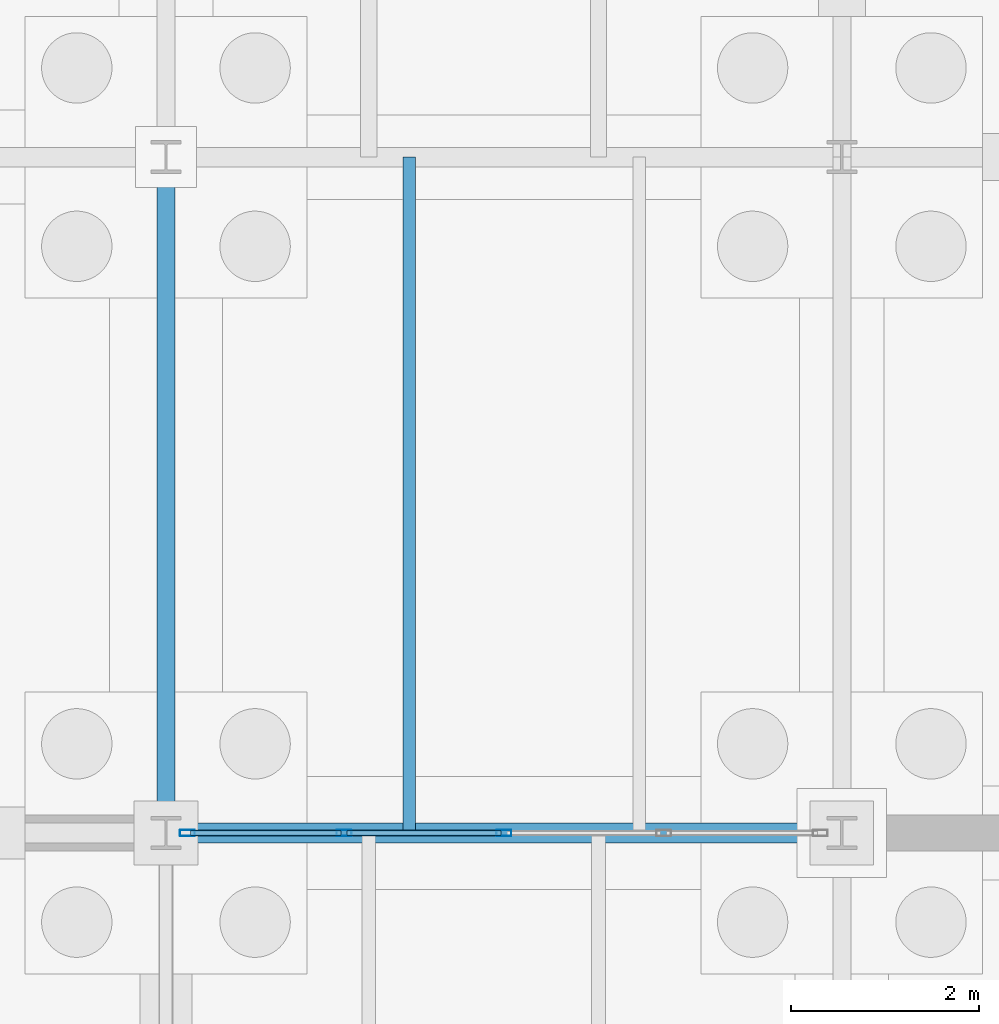
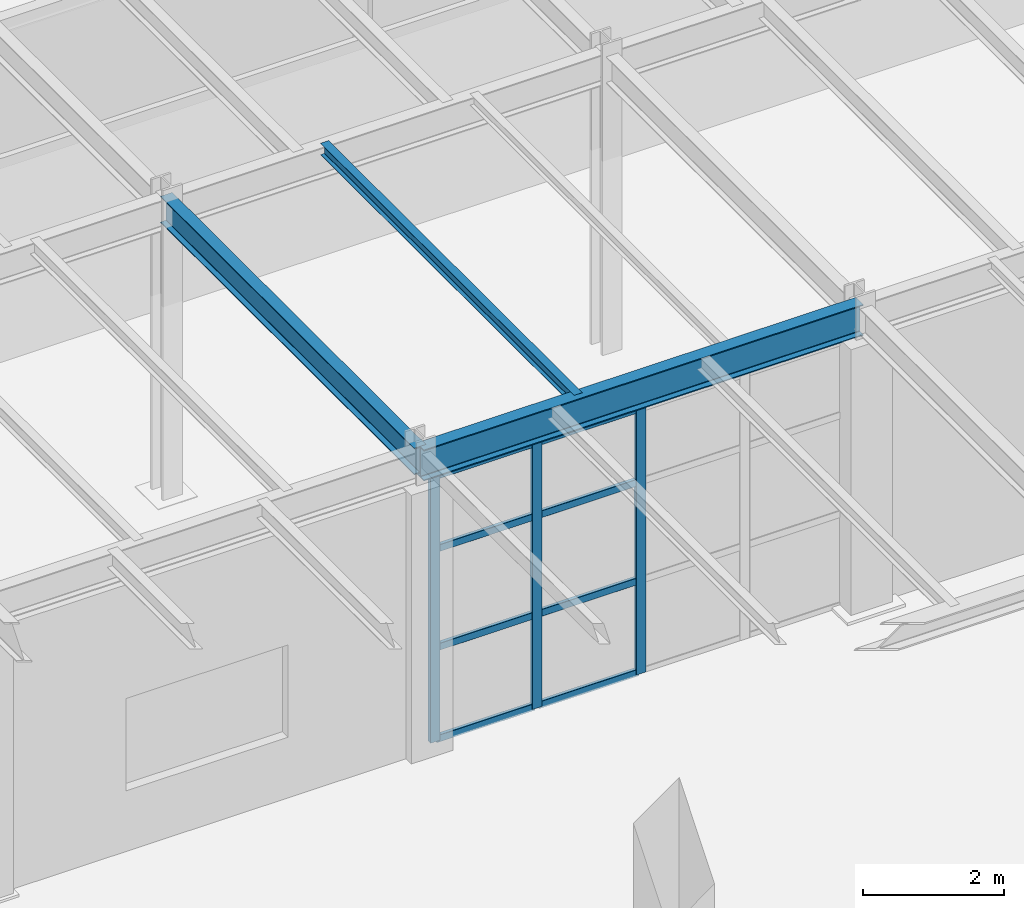
# One storey, part 85 of 293: 11 members, 3 beams, 1 element without a shape of its own.
"""IFC4 building model written with IfcOpenShell, lengths in metres."""

from ifc_helpers import new_model, si_unit, direction, frame, origin, origin_2d, place, context, subcontext, project, spatial, hollow_rectangle, i_section, extrude, material, layer, layer_set, material_profile, profile_set, type_object, element, aggregate, save


model = new_model("IFC4")

# Units and contexts
model_context = context("Model", 3, precision=1e-05, world=origin(), true_north=direction((0.0, 1.0)))
body_context = subcontext(model_context, "Body", "Model", "MODEL_VIEW")
ifc_project = project(units=[si_unit("LENGTHUNIT", "METRE"), si_unit("AREAUNIT", "SQUARE_METRE"), si_unit("VOLUMEUNIT", "CUBIC_METRE"), si_unit("PLANEANGLEUNIT", "RADIAN"), si_unit("MASSUNIT", "GRAM", prefix="KILO")], contexts=[model_context])

# Site, building, storey
site_placement = place(None, origin())
site = spatial("IfcSite", under=ifc_project, at=site_placement, CompositionType="ELEMENT")
building_placement = place(site_placement, origin())
building = spatial("IfcBuilding", under=site, at=building_placement, Name="Kemerveld Promenade Tramway Depot", CompositionType="ELEMENT")
storey_placement = place(building_placement, origin())
storey = spatial("IfcBuildingStorey", under=building, at=storey_placement, Name="L00", CompositionType="ELEMENT", Elevation=0.0)

# Beams
ifc_material_1 = material(Name="Steel S355", Category="steel")
ifc_material_profile_1 = material_profile(ifc_material_1, i_section(OverallWidth=0.2099609375, OverallDepth=0.53662109375, WebThickness=0.0107421875, FlangeThickness=0.017333984375, FilletRadius=0.0126953125, at=origin_2d()), Name="533x210x101 UB")
ifc_profile_set_1 = profile_set([ifc_material_profile_1], Name="Steel S355")
beam_type_1 = type_object("IfcBeamType", Name="BM-G05", PredefinedType="BEAM", material=ifc_profile_set_1)
beam_1_placement = place(storey_placement, frame((115.199951171875, 7.199951171875, 4.906494140625), z_axis=(1.0, 0.0, 0.0), x_axis=(0.0, 1.0, 0.0)))
element("IfcBeam", 1, at=beam_1_placement, inside=storey, type_object=beam_type_1, Name="BMX-L00-17-18-B", PredefinedType="BEAM", context=body_context, shape_type="SweptSolid", body=[
    extrude(i_section(OverallWidth=0.2099609375, OverallDepth=0.53662109375, WebThickness=0.0107421875, FlangeThickness=0.017333984375, FilletRadius=0.0126953125, at=origin_2d()), origin(), (0.0, 0.0, 1.0), 7.199951171875),
])
ifc_material_profile_2 = material_profile(ifc_material_1, i_section(OverallWidth=0.19140625, OverallDepth=0.4599609375, WebThickness=0.010009765625, FlangeThickness=0.01611328125, FilletRadius=0.01025390625, at=origin_2d()), Name="457x191x82 UB")
ifc_profile_set_2 = profile_set([ifc_material_profile_2], Name="Steel S355")
beam_type_2 = type_object("IfcBeamType", Name="BM-G06", PredefinedType="BEAM", material=ifc_profile_set_2)
beam_2_placement = place(storey_placement, frame((115.199951171875, 7.199951171875, 4.945068359375), z_axis=(0.0, 1.0, 0.0), x_axis=(-1.0, 0.0, 0.0)))
element("IfcBeam", 2, at=beam_2_placement, inside=storey, type_object=beam_type_2, Name="BMY-L00-17-B-C", PredefinedType="BEAM", context=body_context, shape_type="SweptSolid", body=[
    extrude(i_section(OverallWidth=0.19140625, OverallDepth=0.4599609375, WebThickness=0.010009765625, FlangeThickness=0.01611328125, FilletRadius=0.01025390625, at=origin_2d()), origin(), (0.0, 0.0, 1.0), 7.199951171875),
])
ifc_material_profile_3 = material_profile(ifc_material_1, i_section(OverallWidth=0.13330078125, OverallDepth=0.203125, WebThickness=0.005615234375, FlangeThickness=0.0078125, FilletRadius=0.007568359375, at=origin_2d()), Name="203x133x25 UB")
ifc_profile_set_3 = profile_set([ifc_material_profile_3], Name="Steel S355")
beam_type_3 = type_object("IfcBeamType", Name="BM-J03", PredefinedType="JOIST", material=ifc_profile_set_3)
beam_3_placement = place(storey_placement, frame((117.7919921875, 7.199951171875, 5.073486328125), z_axis=(0.0, 1.0, 0.0), x_axis=(-1.0, 0.0, 0.0)))
element("IfcBeam", 3, at=beam_3_placement, inside=storey, type_object=beam_type_3, Name="JST-L00-17-B-1", PredefinedType="JOIST", context=body_context, shape_type="SweptSolid", body=[
    extrude(i_section(OverallWidth=0.13330078125, OverallDepth=0.203125, WebThickness=0.005615234375, FlangeThickness=0.0078125, FilletRadius=0.007568359375, at=origin_2d()), origin(), (0.0, 0.0, 1.0), 7.199951171875),
])

# Curtain wall, members
ifc_material_2 = material(Name="Bronze anodised aluminium and solar glass", Category="aluminium")
ifc_layer = layer(ifc_material_2, 0.159912109375)
ifc_layer_set = layer_set([ifc_layer], Name="CW-SYS-09")
curtain_wall_type = type_object("IfcCurtainWallType", Name="CW-SYS-09", PredefinedType="USERDEFINED", material=ifc_layer_set)
curtain_wall_placement = place(storey_placement, origin())
curtain_wall = element("IfcCurtainWall", 4, at=curtain_wall_placement, inside=storey, type_object=curtain_wall_type, Name="CW-L00-V4S-06", ObjectType="GLAZED_CURTAIN_WALL", PredefinedType="USERDEFINED")
ifc_material_3 = material(Name="Bronze anodised aluminium", Category="aluminium")
ifc_material_profile_4 = material_profile(ifc_material_3, hollow_rectangle(XDim=0.06494140625, YDim=0.159912109375, WallThickness=0.00390625, InnerFilletRadius=0.001953125, OuterFilletRadius=0.00390625, at=origin_2d()), Name="CW-MUL-160x65")
ifc_profile_set_4 = profile_set([ifc_material_profile_4], Name="Bronze anodised aluminium")
member_type_1 = type_object("IfcMemberType", Name="CW-MUL-A", PredefinedType="MULLION", material=ifc_profile_set_4)
member_1_placement = place(storey_placement, frame((118.800048828125, 7.199951171875, 0.0), z_axis=(0.0, 0.0, 1.0), x_axis=(0.0, -1.0, 0.0)))
member_1 = element("IfcMember", 5, at=member_1_placement, type_object=member_type_1, Name="CW09 mullion 3", PredefinedType="MULLION", context=body_context, shape_type="SweptSolid", body=[
    extrude(hollow_rectangle(XDim=0.06494140625, YDim=0.159912109375, WallThickness=0.00390625, InnerFilletRadius=0.001953125, OuterFilletRadius=0.00390625, at=origin_2d()), origin(), (0.0, 0.0, 1.0), 4.618408203125),
])
member_2_placement = place(storey_placement, frame((117.09814453125, 7.199951171875, 0.0), z_axis=(0.0, 0.0, 1.0), x_axis=(0.0, -1.0, 0.0)))
member_2 = element("IfcMember", 6, at=member_2_placement, type_object=member_type_1, Name="CW09 mullion 4", PredefinedType="MULLION", context=body_context, shape_type="SweptSolid", body=[
    extrude(hollow_rectangle(XDim=0.06494140625, YDim=0.159912109375, WallThickness=0.00390625, InnerFilletRadius=0.001953125, OuterFilletRadius=0.00390625, at=origin_2d()), origin(), (0.0, 0.0, 1.0), 4.618408203125),
])
member_3_placement = place(storey_placement, frame((115.4287109375, 7.199951171875, 0.0), z_axis=(0.0, 0.0, 1.0), x_axis=(0.0, -1.0, 0.0)))
member_3 = element("IfcMember", 7, at=member_3_placement, type_object=member_type_1, Name="CW09 mullion 5", PredefinedType="MULLION", context=body_context, shape_type="SweptSolid", body=[
    extrude(hollow_rectangle(XDim=0.06494140625, YDim=0.159912109375, WallThickness=0.00390625, InnerFilletRadius=0.001953125, OuterFilletRadius=0.00390625, at=origin_2d()), origin(), (0.0, 0.0, 1.0), 4.618408203125),
])
ifc_material_profile_5 = material_profile(ifc_material_3, hollow_rectangle(XDim=0.06005859375, YDim=0.1201171875, WallThickness=0.00390625, InnerFilletRadius=0.001953125, OuterFilletRadius=0.00390625, at=origin_2d()), Name="CW-TRN-120x60")
ifc_profile_set_5 = profile_set([ifc_material_profile_5], Name="Bronze anodised aluminium")
member_type_2 = type_object("IfcMemberType", Name="CW-TRN-A", PredefinedType="USERDEFINED", material=ifc_profile_set_5)
member_4_placement = place(storey_placement, frame((118.767578125, 7.199951171875, 0.030029296875), z_axis=(-1.0, 0.0, 0.0), x_axis=(0.0, -1.0, 0.0)))
member_4 = element("IfcMember", 8, at=member_4_placement, type_object=member_type_2, Name="CW09 transom 3.1", ObjectType="TRANSOM", PredefinedType="USERDEFINED", context=body_context, shape_type="SweptSolid", body=[
    extrude(hollow_rectangle(XDim=0.06005859375, YDim=0.1201171875, WallThickness=0.00390625, InnerFilletRadius=0.001953125, OuterFilletRadius=0.00390625, at=origin_2d()), origin(), (0.0, 0.0, 1.0), 1.636962890625),
])
member_5_placement = place(storey_placement, frame((118.767578125, 7.199951171875, 1.615966796875), z_axis=(-1.0, 0.0, 0.0), x_axis=(0.0, -1.0, 0.0)))
member_5 = element("IfcMember", 9, at=member_5_placement, type_object=member_type_2, Name="CW09 transom 3.2", ObjectType="TRANSOM", PredefinedType="USERDEFINED", context=body_context, shape_type="SweptSolid", body=[
    extrude(hollow_rectangle(XDim=0.06005859375, YDim=0.1201171875, WallThickness=0.00390625, InnerFilletRadius=0.001953125, OuterFilletRadius=0.00390625, at=origin_2d()), origin(), (0.0, 0.0, 1.0), 1.636962890625),
])
member_6_placement = place(storey_placement, frame((118.767578125, 7.199951171875, 3.324951171875), z_axis=(-1.0, 0.0, 0.0), x_axis=(0.0, -1.0, 0.0)))
member_6 = element("IfcMember", 10, at=member_6_placement, type_object=member_type_2, Name="CW09 transom 3.3", ObjectType="TRANSOM", PredefinedType="USERDEFINED", context=body_context, shape_type="SweptSolid", body=[
    extrude(hollow_rectangle(XDim=0.06005859375, YDim=0.1201171875, WallThickness=0.00390625, InnerFilletRadius=0.001953125, OuterFilletRadius=0.00390625, at=origin_2d()), origin(), (0.0, 0.0, 1.0), 1.636962890625),
])
member_7_placement = place(storey_placement, frame((118.767578125, 7.199951171875, 4.58837890625), z_axis=(-1.0, 0.0, 0.0), x_axis=(0.0, -1.0, 0.0)))
member_7 = element("IfcMember", 11, at=member_7_placement, type_object=member_type_2, Name="CW09 transom 3.4", ObjectType="TRANSOM", PredefinedType="USERDEFINED", context=body_context, shape_type="SweptSolid", body=[
    extrude(hollow_rectangle(XDim=0.06005859375, YDim=0.1201171875, WallThickness=0.00390625, InnerFilletRadius=0.001953125, OuterFilletRadius=0.00390625, at=origin_2d()), origin(), (0.0, 0.0, 1.0), 1.636962890625),
])
member_8_placement = place(storey_placement, frame((117.065673828125, 7.199951171875, 0.030029296875), z_axis=(-1.0, 0.0, 0.0), x_axis=(0.0, -1.0, 0.0)))
member_8 = element("IfcMember", 12, at=member_8_placement, type_object=member_type_2, Name="CW09 transom 4.1", ObjectType="TRANSOM", PredefinedType="USERDEFINED", context=body_context, shape_type="SweptSolid", body=[
    extrude(hollow_rectangle(XDim=0.06005859375, YDim=0.1201171875, WallThickness=0.00390625, InnerFilletRadius=0.001953125, OuterFilletRadius=0.00390625, at=origin_2d()), origin(), (0.0, 0.0, 1.0), 1.6044921875),
])
member_9_placement = place(storey_placement, frame((117.065673828125, 7.199951171875, 1.615966796875), z_axis=(-1.0, 0.0, 0.0), x_axis=(0.0, -1.0, 0.0)))
member_9 = element("IfcMember", 13, at=member_9_placement, type_object=member_type_2, Name="CW09 transom 4.2", ObjectType="TRANSOM", PredefinedType="USERDEFINED", context=body_context, shape_type="SweptSolid", body=[
    extrude(hollow_rectangle(XDim=0.06005859375, YDim=0.1201171875, WallThickness=0.00390625, InnerFilletRadius=0.001953125, OuterFilletRadius=0.00390625, at=origin_2d()), origin(), (0.0, 0.0, 1.0), 1.6044921875),
])
member_10_placement = place(storey_placement, frame((117.065673828125, 7.199951171875, 3.324951171875), z_axis=(-1.0, 0.0, 0.0), x_axis=(0.0, -1.0, 0.0)))
member_10 = element("IfcMember", 14, at=member_10_placement, type_object=member_type_2, Name="CW09 transom 4.3", ObjectType="TRANSOM", PredefinedType="USERDEFINED", context=body_context, shape_type="SweptSolid", body=[
    extrude(hollow_rectangle(XDim=0.06005859375, YDim=0.1201171875, WallThickness=0.00390625, InnerFilletRadius=0.001953125, OuterFilletRadius=0.00390625, at=origin_2d()), origin(), (0.0, 0.0, 1.0), 1.6044921875),
])
member_11_placement = place(storey_placement, frame((117.065673828125, 7.199951171875, 4.58837890625), z_axis=(-1.0, 0.0, 0.0), x_axis=(0.0, -1.0, 0.0)))
member_11 = element("IfcMember", 15, at=member_11_placement, type_object=member_type_2, Name="CW09 transom 4.4", ObjectType="TRANSOM", PredefinedType="USERDEFINED", context=body_context, shape_type="SweptSolid", body=[
    extrude(hollow_rectangle(XDim=0.06005859375, YDim=0.1201171875, WallThickness=0.00390625, InnerFilletRadius=0.001953125, OuterFilletRadius=0.00390625, at=origin_2d()), origin(), (0.0, 0.0, 1.0), 1.6044921875),
])
aggregate(curtain_wall, [member_1, member_2, member_3, member_4, member_5, member_6, member_7, member_8, member_9, member_10, member_11])

save(model, "model.ifc")
